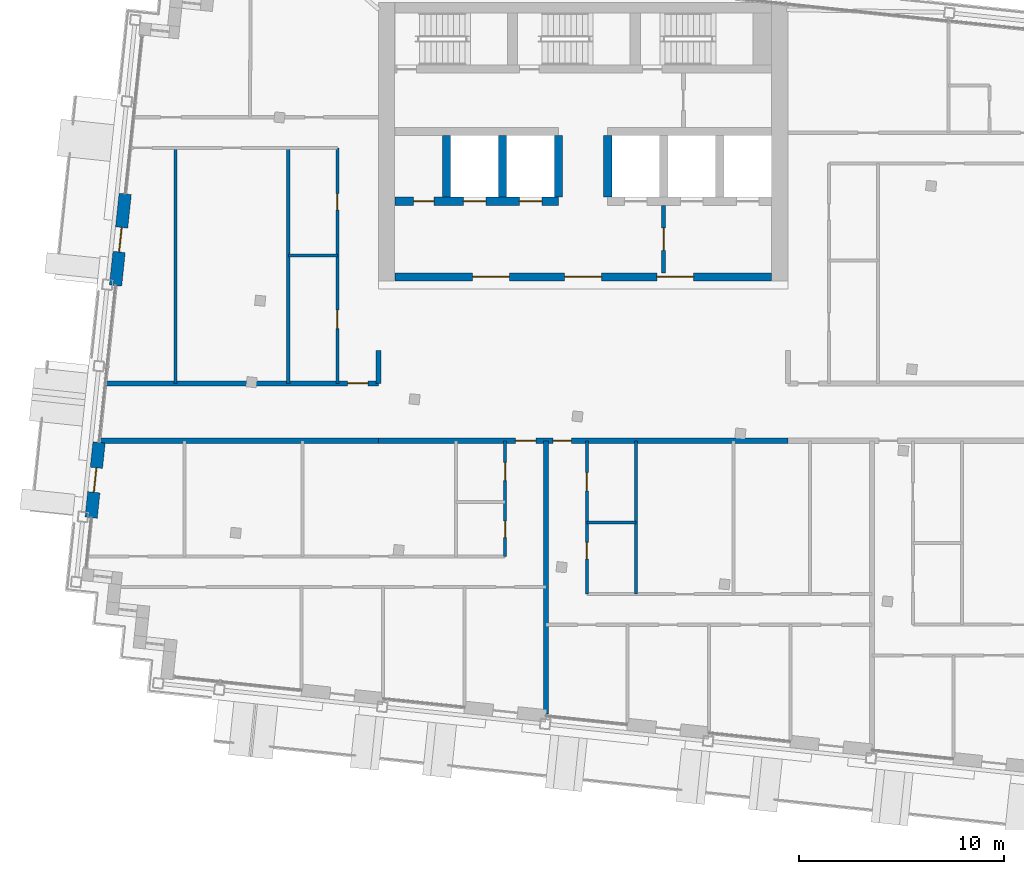
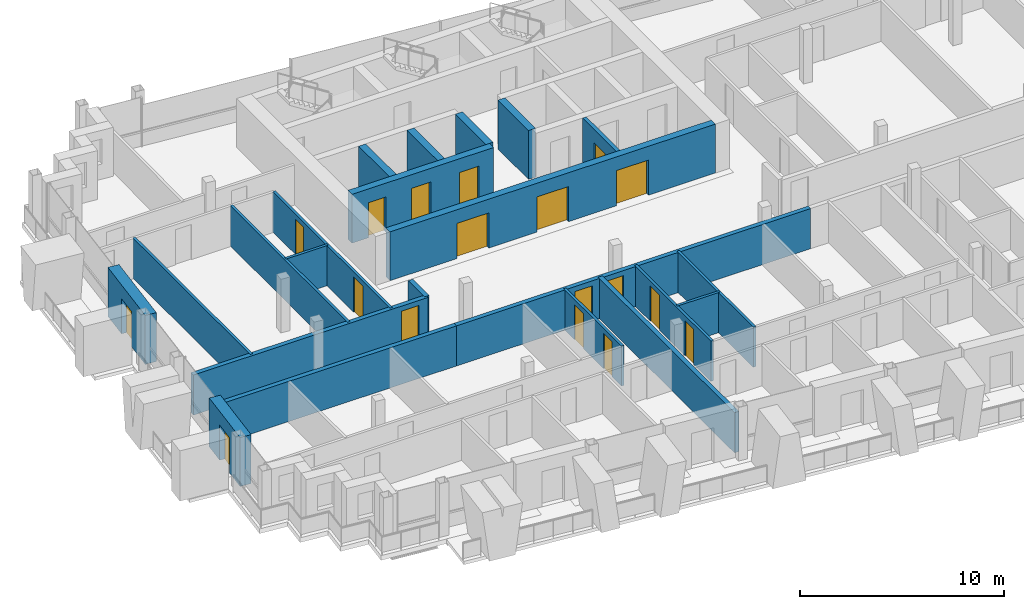
# One storey, part 9 of 17: 22 walls, 18 doors, 18 openings.
"""IFC4 building model written with IfcOpenShell, lengths in metres."""

import ifcopenshell
import ifcopenshell.guid

model = None  # the IFC model being written
_history = None  # IfcOwnerHistory: only IFC2X3 demands one
_inside = {}  # id of a spatial element -> (the spatial element, [elements in it])
_under = {}  # id of a project, library or spatial element -> (it, [spatial elements below it])
_declared = {}  # id of a project -> (the project, [libraries it declares])
_typed = {}  # id of a type object -> (the type object, [elements of that type])
_made_of = {}  # id of a material, layer set ... -> (it, [elements and type objects made of it])


def new_model(schema):
    """Start an empty IFC model of exactly this schema.

    Asked for "IFC4X3", IfcOpenShell would pick the latest addendum, in which some entities
    have other attributes; the version numbers below select the first issue.
    IFC2X3 requires an IfcOwnerHistory on every rooted entity: one is made here for all.
    """
    global model, _history
    if schema == "IFC4X3":
        model = ifcopenshell.file(schema_version=(4, 3, 0, 0))
    else:
        model = ifcopenshell.file(schema=schema)
    _inside.clear()
    _under.clear()
    _declared.clear()
    _typed.clear()
    _made_of.clear()
    _history = None
    if model.schema == "IFC2X3":
        org = make("IfcOrganization", Name="unknown")
        user = make(
            "IfcPersonAndOrganization",
            ThePerson=make("IfcPerson", FamilyName="unknown"),
            TheOrganization=org,
        )
        app = make(
            "IfcApplication",
            ApplicationDeveloper=org,
            Version="unknown",
            ApplicationFullName="unknown",
            ApplicationIdentifier="unknown",
        )
        _history = make(
            "IfcOwnerHistory",
            OwningUser=user,
            OwningApplication=app,
            ChangeAction="ADDED",
            CreationDate=0,
        )
    return model


def make(cls, **values):
    """One entity of the class cls with the attributes given. An attribute that is None is left unset."""
    return model.create_entity(
        cls, **{name: value for name, value in values.items() if value is not None}
    )


def rooted(cls, **values):
    """An entity with a GlobalId (a new one), such as an element, a storey or a relation."""
    return make(cls, GlobalId=ifcopenshell.guid.new(), OwnerHistory=_history, **values)


def si_unit(unit_type, name, prefix=None):
    """IfcSIUnit, for example si_unit("LENGTHUNIT", "METRE", prefix="MILLI")."""
    return make("IfcSIUnit", UnitType=unit_type, Prefix=prefix, Name=name)


def assignment(units):
    """IfcUnitAssignment: the units of a project."""
    return None if units is None else make("IfcUnitAssignment", Units=units)


def point(xyz):
    """IfcCartesianPoint."""
    return None if xyz is None else make("IfcCartesianPoint", Coordinates=xyz)


def direction(xyz):
    """IfcDirection."""
    return None if xyz is None else make("IfcDirection", DirectionRatios=xyz)


def frame(location, z_axis=None, x_axis=None):
    """IfcAxis2Placement3D, a coordinate frame: its origin and axes. An axis left out is left unset."""
    return make(
        "IfcAxis2Placement3D",
        Location=point(location),
        Axis=direction(z_axis),
        RefDirection=direction(x_axis),
    )


def frame_2d(location, x_axis=None):
    """IfcAxis2Placement2D, a coordinate frame in the plane: its origin and x axis."""
    return make(
        "IfcAxis2Placement2D", Location=point(location), RefDirection=direction(x_axis)
    )


def origin():
    """The frame at (0, 0, 0) with its axes left unset."""
    return frame((0.0, 0.0, 0.0))


def place(relative_to, where):
    """IfcLocalPlacement: puts the frame where relative to a parent placement (None: the world)."""
    return make(
        "IfcLocalPlacement", PlacementRelTo=relative_to, RelativePlacement=where
    )


def context(
    kind, dimensions, precision=None, world=None, true_north=None, identifier=None
):
    """IfcGeometricRepresentationContext, for example the 3D "Model" context."""
    return make(
        "IfcGeometricRepresentationContext",
        ContextIdentifier=identifier,
        ContextType=kind,
        CoordinateSpaceDimension=dimensions,
        Precision=precision,
        WorldCoordinateSystem=world,
        TrueNorth=true_north,
    )


def subcontext(parent, identifier, kind, view, scale=None):
    """IfcGeometricRepresentationSubContext, for example "Body" below "Model"."""
    return make(
        "IfcGeometricRepresentationSubContext",
        ContextIdentifier=identifier,
        ContextType=kind,
        ParentContext=parent,
        TargetScale=scale,
        TargetView=view,
    )


def project(units=None, contexts=None):
    """IfcProject with its units and contexts."""
    return rooted(
        "IfcProject",
        Name="project",
        RepresentationContexts=contexts,
        UnitsInContext=assignment(units),
    )


def spatial(cls, under=None, at=None, **own):
    """A site, building, storey or space (cls), placed at a placement, below another one or the project."""
    s = rooted(cls, ObjectPlacement=at, **own)
    if under is not None:
        _under.setdefault(under.id(), (under, []))[1].append(s)
    return s


def profile(cls, at=None, kind="AREA", **sizes):
    """A parametric profile (cls). Its sizes go by their IFC names, for example OverallWidth=200.0."""
    return make(cls, ProfileType=kind, Position=at, **sizes)


def rectangle(**sizes):
    """IfcRectangleProfileDef."""
    return profile("IfcRectangleProfileDef", **sizes)


def extrude(swept, where, along, depth):
    """IfcExtrudedAreaSolid: the profile swept, set in the frame where, extruded along a direction by depth."""
    return make(
        "IfcExtrudedAreaSolid",
        SweptArea=swept,
        Position=where,
        ExtrudedDirection=direction(along),
        Depth=depth,
    )


def shape(context_of_items, identifier, shape_type, items):
    """IfcShapeRepresentation: the items that make up one representation, for example the "Body"."""
    return make(
        "IfcShapeRepresentation",
        ContextOfItems=context_of_items,
        RepresentationIdentifier=identifier,
        RepresentationType=shape_type,
        Items=items,
    )


def material(Name=None, Category=None):
    """IfcMaterial."""
    return make("IfcMaterial", Name=Name, Category=Category)


def layer(
    of_material, thickness, ventilated=None, Name=None, Category=None, Priority=None
):
    """IfcMaterialLayer: one layer of a wall or slab, of a material (None: an air gap)."""
    return make(
        "IfcMaterialLayer",
        Material=of_material,
        LayerThickness=thickness,
        IsVentilated=ventilated,
        Name=Name,
        Category=Category,
        Priority=Priority,
    )


def layer_set(layers, Name=None):
    """IfcMaterialLayerSet."""
    return make("IfcMaterialLayerSet", MaterialLayers=layers, LayerSetName=Name)


def made_of(thing, what):
    """Note that an element or type object is made of a material, layer set ...; save() writes the relation."""
    if what is not None:
        _made_of.setdefault(what.id(), (what, []))[1].append(thing)
    return thing


def type_object(cls, material=None, **own):
    """A type object (cls), such as IfcWallType, which elements share."""
    return made_of(rooted(cls, **own), material)


def element(
    cls,
    number,
    at=None,
    inside=None,
    cuts=None,
    type_object=None,
    material=None,
    context=None,
    identifier="Body",
    shape_type=None,
    held_by="IfcProductDefinitionShape",
    body=None,
    shapes=None,
    **own,
):
    """One element of the class cls, such as IfcWall. Its Tag is "e" and its number.

    at: its placement. inside: the storey or other place that contains it. cuts: it is an
    opening in that element (IfcRelVoidsElement). A single representation is given by context,
    identifier, shape_type and body (its items); several are given by shapes. held_by: the class
    of the entity that holds the representations. save() writes the other relations.
    """
    e = rooted(cls, Tag="e%d" % number, ObjectPlacement=at, **own)
    if body is not None:
        shapes = [shape(context, identifier, shape_type, body)]
    if shapes is not None:
        e.Representation = make(held_by, Representations=shapes)
    if inside is not None:
        _inside.setdefault(inside.id(), (inside, []))[1].append(e)
    if cuts is not None:
        rooted(
            "IfcRelVoidsElement", RelatingBuildingElement=cuts, RelatedOpeningElement=e
        )
    if type_object is not None:
        _typed.setdefault(type_object.id(), (type_object, []))[1].append(e)
    return made_of(e, material)


def fill(opening, filler):
    """IfcRelFillsElement: the door or window that sits in an opening."""
    return rooted(
        "IfcRelFillsElement",
        RelatingOpeningElement=opening,
        RelatedBuildingElement=filler,
    )


def aggregate(whole, parts):
    """IfcRelAggregates: a whole, such as a stair, and the parts it consists of."""
    return rooted("IfcRelAggregates", RelatingObject=whole, RelatedObjects=parts)


def save(model, path):
    """Write the relations noted so far, then the file.

    IfcRelAggregates (storeys below a building ...), IfcRelContainedInSpatialStructure (elements
    in a storey), IfcRelDefinesByType, IfcRelAssociatesMaterial and IfcRelDeclares: one each for
    every whole, place, type object, material and project.
    """
    for whole, parts in _under.values():
        aggregate(whole, parts)
    for where, things in _inside.values():
        rooted(
            "IfcRelContainedInSpatialStructure",
            RelatedElements=things,
            RelatingStructure=where,
        )
    for kind, things in _typed.values():
        rooted("IfcRelDefinesByType", RelatedObjects=things, RelatingType=kind)
    for what, things in _made_of.values():
        rooted("IfcRelAssociatesMaterial", RelatedObjects=things, RelatingMaterial=what)
    for by, libraries in _declared.values():
        rooted("IfcRelDeclares", RelatingContext=by, RelatedDefinitions=libraries)
    model.write(path)


model = new_model("IFC4")

# Units and contexts
model_context = context("Model", 3, precision=1e-05, world=origin(), true_north=direction((0.0, 1.0)))
body_context = subcontext(model_context, "Body", "Model", "MODEL_VIEW")
ifc_project = project(units=[si_unit("LENGTHUNIT", "METRE"), si_unit("AREAUNIT", "SQUARE_METRE"), si_unit("VOLUMEUNIT", "CUBIC_METRE"), si_unit("PLANEANGLEUNIT", "RADIAN"), si_unit("MASSUNIT", "GRAM", prefix="KILO")], contexts=[model_context])

# Site, building, storey
site_placement = place(None, origin())
site = spatial("IfcSite", under=ifc_project, at=site_placement, CompositionType="ELEMENT")
building_placement = place(site_placement, origin())
building = spatial("IfcBuilding", under=site, at=building_placement, Name="Vidyagriha Tower", CompositionType="ELEMENT")
storey_placement = place(building_placement, frame((0.0, 0.0, 265.89990234375)))
storey = spatial("IfcBuildingStorey", under=building, at=storey_placement, Name="L69", CompositionType="ELEMENT", Elevation=265.89990234375)

# Wall, opening, door
ifc_material_1 = material(Name="Precast concrete C40/50 with brick facing", Category="concrete")
ifc_layer_1 = layer(ifc_material_1, 0.60009765625)
ifc_layer_set_1 = layer_set([ifc_layer_1], Name="Precast concrete C40/50 with brick facing")
wall_type_1 = type_object("IfcWallType", Name="Brick-faced precast wall 600", PredefinedType="STANDARD", material=ifc_layer_set_1)
wall_1_placement = place(storey_placement, frame((-22.36279296875, 10.65673828125, 0.0), z_axis=(0.0, 0.0, 1.0), x_axis=(-0.104492739125, -0.994525649478, 0.0)))
wall_1 = element("IfcWall", 1, at=wall_1_placement, inside=storey, type_object=wall_type_1, Name="Brick door bay wall L69 R14.3", PredefinedType="STANDARD", context=body_context, shape_type="SweptSolid", body=[
    extrude(rectangle(XDim=4.5, YDim=0.60009765625, at=frame_2d((2.25, 0.0))), origin(), (0.0, 0.0, 1.0), 2.920166015625),
])
opening_1_placement = place(wall_1_placement, frame((1.64990234375, 0.0, 0.0)))
opening_1 = element("IfcOpeningElement", 2, at=opening_1_placement, cuts=wall_1, Name="Opening D69-57", PredefinedType="OPENING", context=body_context, shape_type="SweptSolid", body=[
    extrude(rectangle(XDim=1.199951171875, YDim=2.10009765625, at=frame_2d((0.60009765625, 1.050048828125))), frame((0.0, 0.31005859375, 0.0), z_axis=(0.0, -1.0, 0.0), x_axis=(1.0, 0.0, 0.0)), (0.0, 0.0, 1.0), 0.6201171875),
])
ifc_material_2 = material(Name="Aluminium framed glazed sliding door", Category="aluminium")
door_type_1 = type_object("IfcDoorType", Name="Balcony sliding door 1200x2100", OperationType="NOTDEFINED", PredefinedType="DOOR", material=ifc_material_2)
door_1_placement = place(opening_1_placement, origin())
door_1 = element("IfcDoor", 3, at=door_1_placement, inside=storey, type_object=door_type_1, Name="Door D69-57", OperationType="SLIDING_TO_LEFT", OverallHeight=2.10009765625, OverallWidth=1.199951171875, PredefinedType="DOOR", context=body_context, shape_type="SweptSolid", body=[
    extrude(rectangle(XDim=1.199951171875, YDim=2.10009765625, at=frame_2d((0.60009765625, 1.050048828125))), frame((0.0, 0.02490234375, 0.0), z_axis=(0.0, -1.0, 0.0), x_axis=(1.0, 0.0, 0.0)), (0.0, 0.0, 1.0), 0.050048828125),
])
fill(opening_1, door_1)

wall_2_placement = place(storey_placement, frame((-23.637939453125, -1.476318359375, 0.0), z_axis=(0.0, 0.0, 1.0), x_axis=(-0.104513052986, -0.994523514933, 0.0)))
wall_2 = element("IfcWall", 4, at=wall_2_placement, inside=storey, type_object=wall_type_1, Name="Brick door bay wall L69 R14.6", PredefinedType="STANDARD", context=body_context, shape_type="SweptSolid", body=[
    extrude(rectangle(XDim=3.7001953125, YDim=0.60009765625, at=frame_2d((1.85009765625, 0.0))), origin(), (0.0, 0.0, 1.0), 2.920166015625),
])
opening_2_placement = place(wall_2_placement, frame((1.25, 0.0, 0.0)))
opening_2 = element("IfcOpeningElement", 5, at=opening_2_placement, cuts=wall_2, Name="Opening D69-58", PredefinedType="OPENING", context=body_context, shape_type="SweptSolid", body=[
    extrude(rectangle(XDim=1.199951171875, YDim=2.10009765625, at=frame_2d((0.60009765625, 1.050048828125))), frame((0.0, 0.31005859375, 0.0), z_axis=(0.0, -1.0, 0.0), x_axis=(1.0, 0.0, 0.0)), (0.0, 0.0, 1.0), 0.6201171875),
])
door_2_placement = place(opening_2_placement, origin())
door_2 = element("IfcDoor", 6, at=door_2_placement, inside=storey, type_object=door_type_1, Name="Door D69-58", OperationType="SLIDING_TO_LEFT", OverallHeight=2.10009765625, OverallWidth=1.199951171875, PredefinedType="DOOR", context=body_context, shape_type="SweptSolid", body=[
    extrude(rectangle(XDim=1.199951171875, YDim=2.10009765625, at=frame_2d((0.60009765625, 1.050048828125))), frame((0.0, 0.02490234375, 0.0), z_axis=(0.0, -1.0, 0.0), x_axis=(1.0, 0.0, 0.0)), (0.0, 0.0, 1.0), 0.050048828125),
])
fill(opening_2, door_2)

# Wall, openings, doors
ifc_material_3 = material(Name="Concrete C60/75", Category="concrete")
ifc_layer_2 = layer(ifc_material_3, 0.39990234375)
ifc_layer_set_2 = layer_set([ifc_layer_2], Name="Concrete C60/75")
wall_type_2 = type_object("IfcWallType", Name="Core shear wall 400 mm", PredefinedType="SHEAR", material=ifc_layer_set_2)
wall_3_placement = place(storey_placement, frame((-9.199951171875, 6.60009765625, 0.0)))
wall_3 = element("IfcWall", 7, at=wall_3_placement, inside=storey, type_object=wall_type_2, Name="Core south wall", PredefinedType="SHEAR", context=body_context, shape_type="SweptSolid", body=[
    extrude(rectangle(XDim=18.39990234375, YDim=0.39990234375, at=frame_2d((9.199951171875, 0.0))), origin(), (0.0, 0.0, 1.0), 2.920166015625),
])
opening_3_placement = place(wall_3_placement, frame((8.300048828125, 0.0, 0.0)))
opening_3 = element("IfcOpeningElement", 8, at=opening_3_placement, cuts=wall_3, Name="Opening D69-01", PredefinedType="OPENING", context=body_context, shape_type="SweptSolid", body=[
    extrude(rectangle(XDim=1.800048828125, YDim=2.10009765625, at=frame_2d((0.89990234375, 1.050048828125))), frame((0.0, 0.2099609375, 0.0), z_axis=(0.0, -1.0, 0.0), x_axis=(1.0, 0.0, 0.0)), (0.0, 0.0, 1.0), 0.419921875),
])
opening_4_placement = place(wall_3_placement, frame((3.800048828125, 0.0, 0.0)))
opening_4 = element("IfcOpeningElement", 9, at=opening_4_placement, cuts=wall_3, Name="Opening D69-02", PredefinedType="OPENING", context=body_context, shape_type="SweptSolid", body=[
    extrude(rectangle(XDim=1.800048828125, YDim=2.10009765625, at=frame_2d((0.89990234375, 1.050048828125))), frame((0.0, 0.2099609375, 0.0), z_axis=(0.0, -1.0, 0.0), x_axis=(1.0, 0.0, 0.0)), (0.0, 0.0, 1.0), 0.419921875),
])
opening_5_placement = place(wall_3_placement, frame((12.800048828125, 0.0, 0.0)))
opening_5 = element("IfcOpeningElement", 10, at=opening_5_placement, cuts=wall_3, Name="Opening D69-03", PredefinedType="OPENING", context=body_context, shape_type="SweptSolid", body=[
    extrude(rectangle(XDim=1.800048828125, YDim=2.10009765625, at=frame_2d((0.89990234375, 1.050048828125))), frame((0.0, 0.2099609375, 0.0), z_axis=(0.0, -1.0, 0.0), x_axis=(1.0, 0.0, 0.0)), (0.0, 0.0, 1.0), 0.419921875),
])
ifc_material_4 = material(Name="Hollow metal door leaf")
door_type_2 = type_object("IfcDoorType", Name="Core lobby double door 1800 x 2100 mm EI 60", OperationType="NOTDEFINED", PredefinedType="DOOR", material=ifc_material_4)
door_3_placement = place(opening_3_placement, frame((1.800048828125, 0.0, 0.0), z_axis=(0.0, 0.0, 1.0), x_axis=(-1.0, 0.0, 0.0)))
door_3 = element("IfcDoor", 11, at=door_3_placement, inside=storey, type_object=door_type_2, Name="Core entrance door L69", OperationType="DOUBLE_DOOR_SINGLE_SWING", OverallHeight=2.10009765625, OverallWidth=1.800048828125, PredefinedType="DOOR", context=body_context, shape_type="SweptSolid", body=[
    extrude(rectangle(XDim=1.800048828125, YDim=2.10009765625, at=frame_2d((0.89990234375, 1.050048828125))), frame((0.0, 0.02490234375, 0.0), z_axis=(0.0, -1.0, 0.0), x_axis=(1.0, 0.0, 0.0)), (0.0, 0.0, 1.0), 0.050048828125),
])
fill(opening_3, door_3)
door_4_placement = place(opening_4_placement, frame((1.800048828125, 0.0, 0.0), z_axis=(0.0, 0.0, 1.0), x_axis=(-1.0, 0.0, 0.0)))
door_4 = element("IfcDoor", 12, at=door_4_placement, inside=storey, type_object=door_type_2, Name="Core entrance door west L69", OperationType="DOUBLE_DOOR_SINGLE_SWING", OverallHeight=2.10009765625, OverallWidth=1.800048828125, PredefinedType="DOOR", context=body_context, shape_type="SweptSolid", body=[
    extrude(rectangle(XDim=1.800048828125, YDim=2.10009765625, at=frame_2d((0.89990234375, 1.050048828125))), frame((0.0, 0.02490234375, 0.0), z_axis=(0.0, -1.0, 0.0), x_axis=(1.0, 0.0, 0.0)), (0.0, 0.0, 1.0), 0.050048828125),
])
fill(opening_4, door_4)
door_5_placement = place(opening_5_placement, frame((1.800048828125, 0.0, 0.0), z_axis=(0.0, 0.0, 1.0), x_axis=(-1.0, 0.0, 0.0)))
door_5 = element("IfcDoor", 13, at=door_5_placement, inside=storey, type_object=door_type_2, Name="Core entrance door east L69", OperationType="DOUBLE_DOOR_SINGLE_SWING", OverallHeight=2.10009765625, OverallWidth=1.800048828125, PredefinedType="DOOR", context=body_context, shape_type="SweptSolid", body=[
    extrude(rectangle(XDim=1.800048828125, YDim=2.10009765625, at=frame_2d((0.89990234375, 1.050048828125))), frame((0.0, 0.02490234375, 0.0), z_axis=(0.0, -1.0, 0.0), x_axis=(1.0, 0.0, 0.0)), (0.0, 0.0, 1.0), 0.050048828125),
])
fill(opening_5, door_5)

wall_4_placement = place(storey_placement, frame((-9.199951171875, 10.300048828125, 0.0)))
wall_4 = element("IfcWall", 14, at=wall_4_placement, inside=storey, type_object=wall_type_2, Name="Core row N front wall", PredefinedType="SHEAR", context=body_context, shape_type="SweptSolid", body=[
    extrude(rectangle(XDim=8.0, YDim=0.39990234375, at=frame_2d((4.0, 0.0))), origin(), (0.0, 0.0, 1.0), 2.920166015625),
])
opening_6_placement = place(wall_4_placement, frame((3.35009765625, 0.0, 0.0)))
opening_6 = element("IfcOpeningElement", 15, at=opening_6_placement, cuts=wall_4, Name="Opening LD69-01", PredefinedType="OPENING", context=body_context, shape_type="SweptSolid", body=[
    extrude(rectangle(XDim=1.10009765625, YDim=2.10009765625, at=frame_2d((0.550048828125, 1.050048828125))), frame((0.0, 0.2099609375, 0.0), z_axis=(0.0, -1.0, 0.0), x_axis=(1.0, 0.0, 0.0)), (0.0, 0.0, 1.0), 0.419921875),
])
opening_7_placement = place(wall_4_placement, frame((6.083251953125, 0.0, 0.0)))
opening_7 = element("IfcOpeningElement", 16, at=opening_7_placement, cuts=wall_4, Name="Opening LD69-02", PredefinedType="OPENING", context=body_context, shape_type="SweptSolid", body=[
    extrude(rectangle(XDim=1.10009765625, YDim=2.10009765625, at=frame_2d((0.550048828125, 1.050048828125))), frame((0.0, 0.2099609375, 0.0), z_axis=(0.0, -1.0, 0.0), x_axis=(1.0, 0.0, 0.0)), (0.0, 0.0, 1.0), 0.419921875),
])
opening_8_placement = place(wall_4_placement, frame((0.916748046875, 0.0, 0.0)))
opening_8 = element("IfcOpeningElement", 17, at=opening_8_placement, cuts=wall_4, Name="Opening D69-04", PredefinedType="OPENING", context=body_context, shape_type="SweptSolid", body=[
    extrude(rectangle(XDim=1.0, YDim=2.10009765625, at=frame_2d((0.5, 1.050048828125))), frame((0.0, 0.2099609375, 0.0), z_axis=(0.0, -1.0, 0.0), x_axis=(1.0, 0.0, 0.0)), (0.0, 0.0, 1.0), 0.419921875),
])
ifc_material_5 = material(Name="Hollow metal door leaf")
door_type_3 = type_object("IfcDoorType", Name="Core room door 1000 x 2100 mm EI 60", OperationType="NOTDEFINED", PredefinedType="DOOR", material=ifc_material_5)
door_6_placement = place(opening_8_placement, frame((1.0, 0.0, 0.0), z_axis=(0.0, 0.0, 1.0), x_axis=(-1.0, 0.0, 0.0)))
door_6 = element("IfcDoor", 18, at=door_6_placement, inside=storey, type_object=door_type_3, Name="Door Pressurisation Plant Room 69.14", OperationType="SINGLE_SWING_RIGHT", OverallHeight=2.10009765625, OverallWidth=1.0, PredefinedType="DOOR", context=body_context, shape_type="SweptSolid", body=[
    extrude(rectangle(XDim=1.0, YDim=2.10009765625, at=frame_2d((0.5, 1.050048828125))), frame((0.0, 0.02490234375, 0.0), z_axis=(0.0, -1.0, 0.0), x_axis=(1.0, 0.0, 0.0)), (0.0, 0.0, 1.0), 0.050048828125),
])
fill(opening_8, door_6)
ifc_material_6 = material(Name="Stainless steel sliding door panel", Category="steel")
door_type_4 = type_object("IfcDoorType", Name="Lift landing door 1100 x 2100 mm EI 90", OperationType="NOTDEFINED", PredefinedType="DOOR", material=ifc_material_6)
door_7_placement = place(opening_6_placement, origin())
door_7 = element("IfcDoor", 19, at=door_7_placement, inside=storey, type_object=door_type_4, Name="Landing door HR1 L69", OperationType="SLIDING_TO_LEFT", OverallHeight=2.10009765625, OverallWidth=1.10009765625, PredefinedType="DOOR", context=body_context, shape_type="SweptSolid", body=[
    extrude(rectangle(XDim=1.10009765625, YDim=2.10009765625, at=frame_2d((0.550048828125, 1.050048828125))), frame((0.0, 0.02490234375, 0.0), z_axis=(0.0, -1.0, 0.0), x_axis=(1.0, 0.0, 0.0)), (0.0, 0.0, 1.0), 0.050048828125),
])
fill(opening_6, door_7)
door_8_placement = place(opening_7_placement, origin())
door_8 = element("IfcDoor", 20, at=door_8_placement, inside=storey, type_object=door_type_4, Name="Landing door HR2 L69", OperationType="SLIDING_TO_LEFT", OverallHeight=2.10009765625, OverallWidth=1.10009765625, PredefinedType="DOOR", context=body_context, shape_type="SweptSolid", body=[
    extrude(rectangle(XDim=1.10009765625, YDim=2.10009765625, at=frame_2d((0.550048828125, 1.050048828125))), frame((0.0, 0.02490234375, 0.0), z_axis=(0.0, -1.0, 0.0), x_axis=(1.0, 0.0, 0.0)), (0.0, 0.0, 1.0), 0.050048828125),
])
fill(opening_7, door_8)

# Walls
for number, where, z_axis, x_axis, name in (
    (21, (-6.666748046875, 10.5, 0.0), (0.0, 0.0, 1.0), (0.0, 1.0, 0.0), "Core bay wall N1"),
    (22, (-3.933349609375, 10.5, 0.0), (0.0, 0.0, 1.0), (0.0, 1.0, 0.0), "Core bay wall N2"),
    (23, (-1.199951171875, 10.5, 0.0), (0.0, 0.0, 1.0), (0.0, 1.0, 0.0), "Core bay wall N3"),
    (24, (1.199951171875, 10.5, 0.0), (0.0, 0.0, 1.0), (0.0, 1.0, 0.0), "Core bay wall N4"),
):
    element("IfcWall", number, at=place(storey_placement, frame(where, z_axis=z_axis, x_axis=x_axis)), inside=storey, type_object=wall_type_2, Name=name, PredefinedType="SHEAR", context=body_context, shape_type="SweptSolid", body=[
        extrude(rectangle(XDim=3.0, YDim=0.39990234375, at=frame_2d((1.5, 0.0))), origin(), (0.0, 0.0, 1.0), 2.920166015625),
    ])
ifc_material_7 = material(Name="Fired clay brick masonry", Category="masonry")
ifc_layer_3 = layer(ifc_material_7, 0.25)
ifc_layer_set_3 = layer_set([ifc_layer_3], Name="Fired clay brick masonry")
wall_type_3 = type_object("IfcWallType", Name="Fired clay brick corridor wall 250", PredefinedType="PARTITIONING", material=ifc_layer_set_3)
wall_5_placement = place(storey_placement, frame((-10.0, -1.39990234375, 0.0), z_axis=(0.0, 0.0, 1.0), x_axis=(-1.0, 0.0, 0.0)))
element("IfcWall", 25, at=wall_5_placement, inside=storey, type_object=wall_type_3, Name="Wall all-L69-w061", PredefinedType="PARTITIONING", context=body_context, shape_type="SweptSolid", body=[
    extrude(rectangle(XDim=13.5595703125, YDim=0.25, at=frame_2d((6.77978515625, 0.0))), origin(), (0.0, 0.0, 1.0), 2.400146484375),
])

# Wall, opening, door
wall_6_placement = place(storey_placement, frame((-23.26513671875, 1.39990234375, 0.0)))
wall_6 = element("IfcWall", 26, at=wall_6_placement, inside=storey, type_object=wall_type_3, Name="Wall all-L69-w078", PredefinedType="PARTITIONING", context=body_context, shape_type="SweptSolid", body=[
    extrude(rectangle(XDim=13.26513671875, YDim=0.25, at=frame_2d((6.632568359375, 0.0))), origin(), (0.0, 0.0, 1.0), 2.400146484375),
])
opening_9_placement = place(wall_6_placement, frame((11.76513671875, 0.0, 0.0)))
opening_9 = element("IfcOpeningElement", 27, at=opening_9_placement, cuts=wall_6, Name="Opening D69-45", PredefinedType="OPENING", context=body_context, shape_type="SweptSolid", body=[
    extrude(rectangle(XDim=1.0, YDim=2.10009765625, at=frame_2d((0.5, 1.050048828125))), frame((0.0, 0.135009765625, 0.0), z_axis=(0.0, -1.0, 0.0), x_axis=(1.0, 0.0, 0.0)), (0.0, 0.0, 1.0), 0.27001953125),
])
ifc_material_8 = material(Name="Fire-rated timber door leaf EI 60", Category="wood")
door_type_5 = type_object("IfcDoorType", Name="Flat entrance fire door 1000x2100", OperationType="NOTDEFINED", PredefinedType="DOOR", material=ifc_material_8)
door_9_placement = place(opening_9_placement, origin())
door_9 = element("IfcDoor", 28, at=door_9_placement, inside=storey, type_object=door_type_5, Name="Door D69-45", OperationType="SINGLE_SWING_RIGHT", OverallHeight=2.10009765625, OverallWidth=1.0, PredefinedType="DOOR", context=body_context, shape_type="SweptSolid", body=[
    extrude(rectangle(XDim=1.0, YDim=2.10009765625, at=frame_2d((0.5, 1.050048828125))), frame((0.0, 0.02490234375, 0.0), z_axis=(0.0, -1.0, 0.0), x_axis=(1.0, 0.0, 0.0)), (0.0, 0.0, 1.0), 0.050048828125),
])
fill(opening_9, door_9)

# Wall, openings, doors
wall_7_placement = place(storey_placement, frame((10.0, -1.39990234375, 0.0), z_axis=(0.0, 0.0, 1.0), x_axis=(-1.0, 0.0, 0.0)))
wall_7 = element("IfcWall", 29, at=wall_7_placement, inside=storey, type_object=wall_type_3, Name="Wall all-L69-w104", PredefinedType="PARTITIONING", context=body_context, shape_type="SweptSolid", body=[
    extrude(rectangle(XDim=20.0, YDim=0.25, at=frame_2d((10.0, 0.0))), origin(), (0.0, 0.0, 1.0), 2.400146484375),
])
opening_10_placement = place(wall_7_placement, frame((12.31396484375, 0.0, 0.0)))
opening_10 = element("IfcOpeningElement", 30, at=opening_10_placement, cuts=wall_7, Name="Opening D69-19", PredefinedType="OPENING", context=body_context, shape_type="SweptSolid", body=[
    extrude(rectangle(XDim=1.0, YDim=2.10009765625, at=frame_2d((0.5, 1.050048828125))), frame((0.0, 0.135009765625, 0.0), z_axis=(0.0, -1.0, 0.0), x_axis=(1.0, 0.0, 0.0)), (0.0, 0.0, 1.0), 0.27001953125),
])
opening_11_placement = place(wall_7_placement, frame((10.5703125, 0.0, 0.0)))
opening_11 = element("IfcOpeningElement", 31, at=opening_11_placement, cuts=wall_7, Name="Opening D69-29", PredefinedType="OPENING", context=body_context, shape_type="SweptSolid", body=[
    extrude(rectangle(XDim=0.89990234375, YDim=2.10009765625, at=frame_2d((0.449951171875, 1.050048828125))), frame((0.0, 0.135009765625, 0.0), z_axis=(0.0, -1.0, 0.0), x_axis=(1.0, 0.0, 0.0)), (0.0, 0.0, 1.0), 0.27001953125),
])
door_10_placement = place(opening_10_placement, origin())
door_10 = element("IfcDoor", 32, at=door_10_placement, inside=storey, type_object=door_type_5, Name="Door D69-19", OperationType="SINGLE_SWING_LEFT", OverallHeight=2.10009765625, OverallWidth=1.0, PredefinedType="DOOR", context=body_context, shape_type="SweptSolid", body=[
    extrude(rectangle(XDim=1.0, YDim=2.10009765625, at=frame_2d((0.5, 1.050048828125))), frame((0.0, 0.02490234375, 0.0), z_axis=(0.0, -1.0, 0.0), x_axis=(1.0, 0.0, 0.0)), (0.0, 0.0, 1.0), 0.050048828125),
])
fill(opening_10, door_10)
ifc_material_9 = material(Name="Fire-rated timber door leaf EI 60", Category="wood")
door_type_6 = type_object("IfcDoorType", Name="Flat entrance fire door 900x2100", OperationType="NOTDEFINED", PredefinedType="DOOR", material=ifc_material_9)
door_11_placement = place(opening_11_placement, origin())
door_11 = element("IfcDoor", 33, at=door_11_placement, inside=storey, type_object=door_type_6, Name="Door D69-29", OperationType="SINGLE_SWING_RIGHT", OverallHeight=2.10009765625, OverallWidth=0.89990234375, PredefinedType="DOOR", context=body_context, shape_type="SweptSolid", body=[
    extrude(rectangle(XDim=0.89990234375, YDim=2.10009765625, at=frame_2d((0.449951171875, 1.050048828125))), frame((0.0, 0.02490234375, 0.0), z_axis=(0.0, -1.0, 0.0), x_axis=(1.0, 0.0, 0.0)), (0.0, 0.0, 1.0), 0.050048828125),
])
fill(opening_11, door_11)

# Walls
wall_8_placement = place(storey_placement, frame((-10.0, 3.0, 0.0), z_axis=(0.0, 0.0, 1.0), x_axis=(0.0, -1.0, 0.0)))
element("IfcWall", 34, at=wall_8_placement, inside=storey, type_object=wall_type_3, Name="Wall all-L69-w105", PredefinedType="PARTITIONING", context=body_context, shape_type="SweptSolid", body=[
    extrude(rectangle(XDim=1.60009765625, YDim=0.25, at=frame_2d((0.800048828125, 0.0))), origin(), (0.0, 0.0, 1.0), 2.400146484375),
])
ifc_material_10 = material(Name="Fired clay brick masonry", Category="masonry")
ifc_layer_4 = layer(ifc_material_10, 0.25)
ifc_layer_set_4 = layer_set([ifc_layer_4], Name="Fired clay brick masonry")
wall_type_4 = type_object("IfcWallType", Name="Fired clay brick demising wall 250", PredefinedType="PARTITIONING", material=ifc_layer_set_4)
wall_9_placement = place(storey_placement, frame((-1.81396484375, -1.39990234375, 0.0), z_axis=(0.0, 0.0, 1.0), x_axis=(0.0, -1.0, 0.0)))
element("IfcWall", 35, at=wall_9_placement, inside=storey, type_object=wall_type_4, Name="Wall all-L69-w041", PredefinedType="PARTITIONING", context=body_context, shape_type="SweptSolid", body=[
    extrude(rectangle(XDim=13.340576171875, YDim=0.25, at=frame_2d((6.67041015625, 0.0))), origin(), (0.0, 0.0, 1.0), 2.400146484375),
])
ifc_material_11 = material(Name="Gypsum board partition")
ifc_layer_5 = layer(ifc_material_11, 0.14990234375)
ifc_layer_set_5 = layer_set([ifc_layer_5], Name="Gypsum board partition")
wall_type_5 = type_object("IfcWallType", Name="Gypsum board partition 150", PredefinedType="PARTITIONING", material=ifc_layer_set_5)
wall_10_placement = place(storey_placement, frame((2.5859375, -5.39990234375, 0.0), z_axis=(0.0, 0.0, 1.0), x_axis=(-1.0, 0.0, 0.0)))
element("IfcWall", 36, at=wall_10_placement, inside=storey, type_object=wall_type_5, Name="Wall all-L69-w024", PredefinedType="PARTITIONING", context=body_context, shape_type="SweptSolid", body=[
    extrude(rectangle(XDim=2.39990234375, YDim=0.14990234375, at=frame_2d((1.199951171875, 0.0))), origin(), (0.0, 0.0, 1.0), 2.400146484375),
])
wall_11_placement = place(storey_placement, frame((2.5859375, -1.39990234375, 0.0), z_axis=(0.0, 0.0, 1.0), x_axis=(0.0, -1.0, 0.0)))
element("IfcWall", 37, at=wall_11_placement, inside=storey, type_object=wall_type_5, Name="Wall all-L69-w025", PredefinedType="PARTITIONING", context=body_context, shape_type="SweptSolid", body=[
    extrude(rectangle(XDim=7.483642578125, YDim=0.14990234375, at=frame_2d((3.74169921875, 0.0))), origin(), (0.0, 0.0, 1.0), 2.400146484375),
])
wall_12_placement = place(storey_placement, frame((-14.39990234375, 7.64990234375, 0.0)))
element("IfcWall", 38, at=wall_12_placement, inside=storey, type_object=wall_type_5, Name="Wall all-L69-w067", PredefinedType="PARTITIONING", context=body_context, shape_type="SweptSolid", body=[
    extrude(rectangle(XDim=2.39990234375, YDim=0.14990234375, at=frame_2d((1.199951171875, 0.0))), origin(), (0.0, 0.0, 1.0), 2.400146484375),
])
for number, where, z_axis, x_axis, name in (
    (39, (-14.39990234375, 1.39990234375, 0.0), (0.0, 0.0, 1.0), (0.0, 1.0, 0.0), "Wall all-L69-w068"),
    (40, (-19.89990234375, 1.39990234375, 0.0), (0.0, 0.0, 1.0), (0.0, 1.0, 0.0), "Wall all-L69-w069"),
):
    element("IfcWall", number, at=place(storey_placement, frame(where, z_axis=z_axis, x_axis=x_axis)), inside=storey, type_object=wall_type_5, Name=name, PredefinedType="PARTITIONING", context=body_context, shape_type="SweptSolid", body=[
        extrude(rectangle(XDim=11.5, YDim=0.14990234375, at=frame_2d((5.75, 0.0))), origin(), (0.0, 0.0, 1.0), 2.400146484375),
    ])

# Wall, openings, doors
ifc_material_12 = material(Name="Moisture resistant gypsum board partition")
ifc_layer_6 = layer(ifc_material_12, 0.14990234375)
ifc_layer_set_6 = layer_set([ifc_layer_6], Name="Moisture resistant gypsum board partition")
wall_type_6 = type_object("IfcWallType", Name="Gypsum board wet-area partition 150", PredefinedType="PARTITIONING", material=ifc_layer_set_6)
wall_13_placement = place(storey_placement, frame((-3.81396484375, -7.046630859375, 0.0), z_axis=(0.0, 0.0, 1.0), x_axis=(0.0, 1.0, 0.0)))
wall_13 = element("IfcWall", 41, at=wall_13_placement, inside=storey, type_object=wall_type_6, Name="Wall all-L69-w001", PredefinedType="PARTITIONING", context=body_context, shape_type="SweptSolid", body=[
    extrude(rectangle(XDim=5.646728515625, YDim=0.14990234375, at=frame_2d((2.8232421875, 0.0))), origin(), (0.0, 0.0, 1.0), 2.400146484375),
])
opening_12_placement = place(wall_13_placement, frame((3.696533203125, 0.0, 0.0)))
opening_12 = element("IfcOpeningElement", 42, at=opening_12_placement, cuts=wall_13, Name="Opening D69-10", PredefinedType="OPENING", context=body_context, shape_type="SweptSolid", body=[
    extrude(rectangle(XDim=0.89990234375, YDim=2.10009765625, at=frame_2d((0.449951171875, 1.050048828125))), frame((0.0, 0.0849609375, 0.0), z_axis=(0.0, -1.0, 0.0), x_axis=(1.0, 0.0, 0.0)), (0.0, 0.0, 1.0), 0.169921875),
])
opening_13_placement = place(wall_13_placement, frame((0.92333984375, 0.0, 0.0)))
opening_13 = element("IfcOpeningElement", 43, at=opening_13_placement, cuts=wall_13, Name="Opening D69-11", PredefinedType="OPENING", context=body_context, shape_type="SweptSolid", body=[
    extrude(rectangle(XDim=0.800048828125, YDim=2.10009765625, at=frame_2d((0.39990234375, 1.050048828125))), frame((0.0, 0.0849609375, 0.0), z_axis=(0.0, -1.0, 0.0), x_axis=(1.0, 0.0, 0.0)), (0.0, 0.0, 1.0), 0.169921875),
])
ifc_material_13 = material(Name="Timber door leaf", Category="wood")
door_type_7 = type_object("IfcDoorType", Name="Bathroom door 800x2100", OperationType="NOTDEFINED", PredefinedType="DOOR", material=ifc_material_13)
door_12_placement = place(opening_13_placement, origin())
door_12 = element("IfcDoor", 44, at=door_12_placement, inside=storey, type_object=door_type_7, Name="Door D69-11", OperationType="SINGLE_SWING_RIGHT", OverallHeight=2.10009765625, OverallWidth=0.800048828125, PredefinedType="DOOR", context=body_context, shape_type="SweptSolid", body=[
    extrude(rectangle(XDim=0.800048828125, YDim=2.10009765625, at=frame_2d((0.39990234375, 1.050048828125))), frame((0.0, 0.02490234375, 0.0), z_axis=(0.0, -1.0, 0.0), x_axis=(1.0, 0.0, 0.0)), (0.0, 0.0, 1.0), 0.050048828125),
])
fill(opening_13, door_12)
ifc_material_14 = material(Name="Timber door leaf", Category="wood")
door_type_8 = type_object("IfcDoorType", Name="Kitchen door 900x2100", OperationType="NOTDEFINED", PredefinedType="DOOR", material=ifc_material_14)
door_13_placement = place(opening_12_placement, origin())
door_13 = element("IfcDoor", 45, at=door_13_placement, inside=storey, type_object=door_type_8, Name="Door D69-10", OperationType="SINGLE_SWING_LEFT", OverallHeight=2.10009765625, OverallWidth=0.89990234375, PredefinedType="DOOR", context=body_context, shape_type="SweptSolid", body=[
    extrude(rectangle(XDim=0.89990234375, YDim=2.10009765625, at=frame_2d((0.449951171875, 1.050048828125))), frame((0.0, 0.02490234375, 0.0), z_axis=(0.0, -1.0, 0.0), x_axis=(1.0, 0.0, 0.0)), (0.0, 0.0, 1.0), 0.050048828125),
])
fill(opening_12, door_13)

wall_14_placement = place(storey_placement, frame((0.18603515625, -1.39990234375, 0.0), z_axis=(0.0, 0.0, 1.0), x_axis=(0.0, -1.0, 0.0)))
wall_14 = element("IfcWall", 46, at=wall_14_placement, inside=storey, type_object=wall_type_6, Name="Wall all-L69-w021", PredefinedType="PARTITIONING", context=body_context, shape_type="SweptSolid", body=[
    extrude(rectangle(XDim=7.483642578125, YDim=0.14990234375, at=frame_2d((3.74169921875, 0.0))), origin(), (0.0, 0.0, 1.0), 2.400146484375),
])
opening_14_placement = place(wall_14_placement, frame((1.550048828125, 0.0, 0.0)))
opening_14 = element("IfcOpeningElement", 47, at=opening_14_placement, cuts=wall_14, Name="Opening D69-20", PredefinedType="OPENING", context=body_context, shape_type="SweptSolid", body=[
    extrude(rectangle(XDim=0.89990234375, YDim=2.10009765625, at=frame_2d((0.449951171875, 1.050048828125))), frame((0.0, 0.0849609375, 0.0), z_axis=(0.0, -1.0, 0.0), x_axis=(1.0, 0.0, 0.0)), (0.0, 0.0, 1.0), 0.169921875),
])
opening_15_placement = place(wall_14_placement, frame((4.9658203125, 0.0, 0.0)))
opening_15 = element("IfcOpeningElement", 48, at=opening_15_placement, cuts=wall_14, Name="Opening D69-21", PredefinedType="OPENING", context=body_context, shape_type="SweptSolid", body=[
    extrude(rectangle(XDim=0.800048828125, YDim=2.10009765625, at=frame_2d((0.39990234375, 1.050048828125))), frame((0.0, 0.0849609375, 0.0), z_axis=(0.0, -1.0, 0.0), x_axis=(1.0, 0.0, 0.0)), (0.0, 0.0, 1.0), 0.169921875),
])
door_14_placement = place(opening_15_placement, origin())
door_14 = element("IfcDoor", 49, at=door_14_placement, inside=storey, type_object=door_type_7, Name="Door D69-21", OperationType="SINGLE_SWING_LEFT", OverallHeight=2.10009765625, OverallWidth=0.800048828125, PredefinedType="DOOR", context=body_context, shape_type="SweptSolid", body=[
    extrude(rectangle(XDim=0.800048828125, YDim=2.10009765625, at=frame_2d((0.39990234375, 1.050048828125))), frame((0.0, 0.02490234375, 0.0), z_axis=(0.0, -1.0, 0.0), x_axis=(1.0, 0.0, 0.0)), (0.0, 0.0, 1.0), 0.050048828125),
])
fill(opening_15, door_14)
door_15_placement = place(opening_14_placement, origin())
door_15 = element("IfcDoor", 50, at=door_15_placement, inside=storey, type_object=door_type_8, Name="Door D69-20", OperationType="SINGLE_SWING_LEFT", OverallHeight=2.10009765625, OverallWidth=0.89990234375, PredefinedType="DOOR", context=body_context, shape_type="SweptSolid", body=[
    extrude(rectangle(XDim=0.89990234375, YDim=2.10009765625, at=frame_2d((0.449951171875, 1.050048828125))), frame((0.0, 0.02490234375, 0.0), z_axis=(0.0, -1.0, 0.0), x_axis=(1.0, 0.0, 0.0)), (0.0, 0.0, 1.0), 0.050048828125),
])
fill(opening_14, door_15)

wall_15_placement = place(storey_placement, frame((-12.0, 1.39990234375, 0.0), z_axis=(0.0, 0.0, 1.0), x_axis=(0.0, 1.0, 0.0)))
wall_15 = element("IfcWall", 51, at=wall_15_placement, inside=storey, type_object=wall_type_6, Name="Wall all-L69-w064", PredefinedType="PARTITIONING", context=body_context, shape_type="SweptSolid", body=[
    extrude(rectangle(XDim=11.5, YDim=0.14990234375, at=frame_2d((5.75, 0.0))), origin(), (0.0, 0.0, 1.0), 2.400146484375),
])
opening_16_placement = place(wall_15_placement, frame((2.675048828125, 0.0, 0.0)))
opening_16 = element("IfcOpeningElement", 52, at=opening_16_placement, cuts=wall_15, Name="Opening D69-39", PredefinedType="OPENING", context=body_context, shape_type="SweptSolid", body=[
    extrude(rectangle(XDim=0.89990234375, YDim=2.10009765625, at=frame_2d((0.449951171875, 1.050048828125))), frame((0.0, 0.0849609375, 0.0), z_axis=(0.0, -1.0, 0.0), x_axis=(1.0, 0.0, 0.0)), (0.0, 0.0, 1.0), 0.169921875),
])
opening_17_placement = place(wall_15_placement, frame((8.47509765625, 0.0, 0.0)))
opening_17 = element("IfcOpeningElement", 53, at=opening_17_placement, cuts=wall_15, Name="Opening D69-40", PredefinedType="OPENING", context=body_context, shape_type="SweptSolid", body=[
    extrude(rectangle(XDim=0.800048828125, YDim=2.10009765625, at=frame_2d((0.39990234375, 1.050048828125))), frame((0.0, 0.0849609375, 0.0), z_axis=(0.0, -1.0, 0.0), x_axis=(1.0, 0.0, 0.0)), (0.0, 0.0, 1.0), 0.169921875),
])
door_16_placement = place(opening_17_placement, origin())
door_16 = element("IfcDoor", 54, at=door_16_placement, inside=storey, type_object=door_type_7, Name="Door D69-40", OperationType="SINGLE_SWING_RIGHT", OverallHeight=2.10009765625, OverallWidth=0.800048828125, PredefinedType="DOOR", context=body_context, shape_type="SweptSolid", body=[
    extrude(rectangle(XDim=0.800048828125, YDim=2.10009765625, at=frame_2d((0.39990234375, 1.050048828125))), frame((0.0, 0.02490234375, 0.0), z_axis=(0.0, -1.0, 0.0), x_axis=(1.0, 0.0, 0.0)), (0.0, 0.0, 1.0), 0.050048828125),
])
fill(opening_17, door_16)
door_17_placement = place(opening_16_placement, origin())
door_17 = element("IfcDoor", 55, at=door_17_placement, inside=storey, type_object=door_type_8, Name="Door D69-39", OperationType="SINGLE_SWING_RIGHT", OverallHeight=2.10009765625, OverallWidth=0.89990234375, PredefinedType="DOOR", context=body_context, shape_type="SweptSolid", body=[
    extrude(rectangle(XDim=0.89990234375, YDim=2.10009765625, at=frame_2d((0.449951171875, 1.050048828125))), frame((0.0, 0.02490234375, 0.0), z_axis=(0.0, -1.0, 0.0), x_axis=(1.0, 0.0, 0.0)), (0.0, 0.0, 1.0), 0.050048828125),
])
fill(opening_16, door_17)

# Wall, opening, door
ifc_material_15 = material(Name="Blockwork 15 MPa", Category="masonry")
ifc_layer_7 = layer(ifc_material_15, 0.199951171875)
ifc_layer_set_7 = layer_set([ifc_layer_7], Name="Blockwork 15 MPa")
wall_type_7 = type_object("IfcWallType", Name="Service room partition 200 mm", PredefinedType="PARTITIONING", material=ifc_layer_set_7)
wall_16_placement = place(storey_placement, frame((3.933349609375, 6.800048828125, 0.0), z_axis=(0.0, 0.0, 1.0), x_axis=(0.0, 1.0, 0.0)))
wall_16 = element("IfcWall", 56, at=wall_16_placement, inside=storey, type_object=wall_type_7, Name="Fire-fighting lobby west wall", PredefinedType="PARTITIONING", context=body_context, shape_type="SweptSolid", body=[
    extrude(rectangle(XDim=3.300048828125, YDim=0.199951171875, at=frame_2d((1.64990234375, 0.0))), origin(), (0.0, 0.0, 1.0), 2.920166015625),
])
opening_18_placement = place(wall_16_placement, frame((1.10009765625, 0.0, 0.0)))
opening_18 = element("IfcOpeningElement", 57, at=opening_18_placement, cuts=wall_16, Name="Opening D69-05", PredefinedType="OPENING", context=body_context, shape_type="SweptSolid", body=[
    extrude(rectangle(XDim=1.10009765625, YDim=2.10009765625, at=frame_2d((0.550048828125, 1.050048828125))), frame((0.0, 0.10986328125, 0.0), z_axis=(0.0, -1.0, 0.0), x_axis=(1.0, 0.0, 0.0)), (0.0, 0.0, 1.0), 0.219970703125),
])
ifc_material_16 = material(Name="Hollow metal door leaf")
door_type_9 = type_object("IfcDoorType", Name="Fire-fighting lobby door 1100 x 2100 mm EI 90", OperationType="NOTDEFINED", PredefinedType="DOOR", material=ifc_material_16)
door_18_placement = place(opening_18_placement, origin())
door_18 = element("IfcDoor", 58, at=door_18_placement, inside=storey, type_object=door_type_9, Name="Fire-fighting lobby door L69", OperationType="SINGLE_SWING_RIGHT", OverallHeight=2.10009765625, OverallWidth=1.10009765625, PredefinedType="DOOR", context=body_context, shape_type="SweptSolid", body=[
    extrude(rectangle(XDim=1.10009765625, YDim=2.10009765625, at=frame_2d((0.550048828125, 1.050048828125))), frame((0.0, 0.02490234375, 0.0), z_axis=(0.0, -1.0, 0.0), x_axis=(1.0, 0.0, 0.0)), (0.0, 0.0, 1.0), 0.050048828125),
])
fill(opening_18, door_18)

save(model, "model.ifc")
